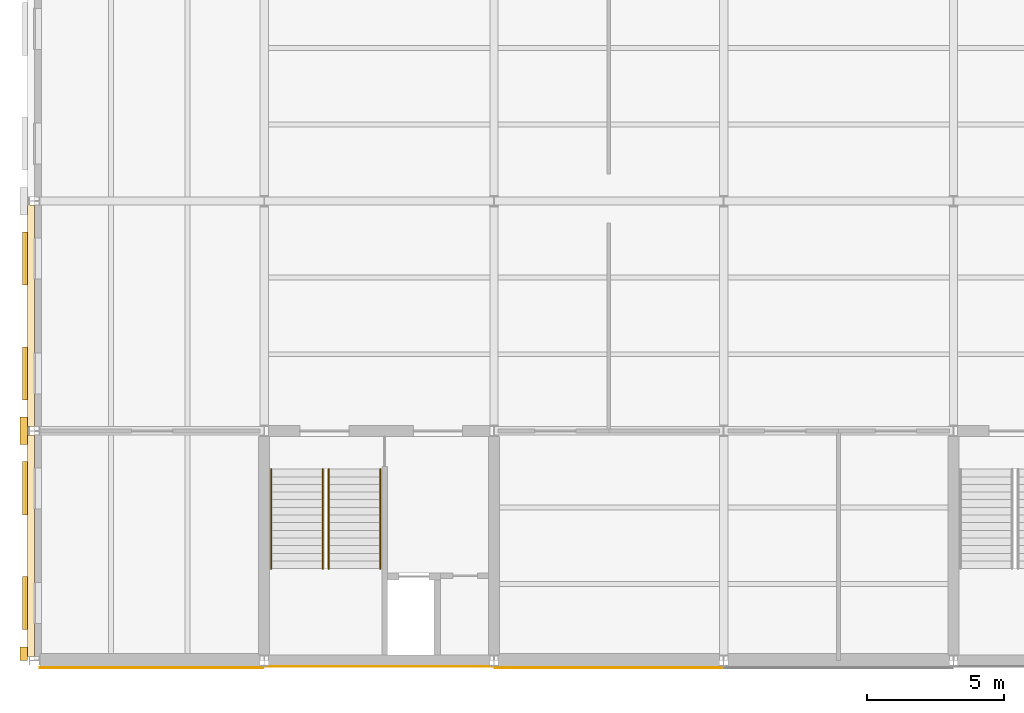
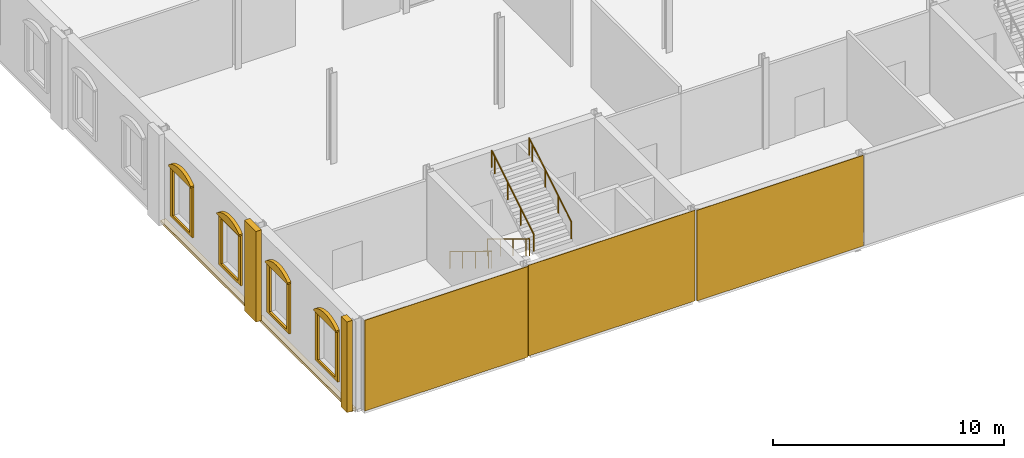
# One storey, part 37 of 57: 15 coverings, 4 railings.
"""IFC4 building model written with IfcOpenShell, lengths in metres."""

from ifc_helpers import new_model, si_unit, direction, frame, origin, origin_2d, place, context, subcontext, project, spatial, polyline, rectangle, circle, outline, extrude, material, layer, layer_set, type_object, element, save


model = new_model("IFC4")

# Units and contexts
model_context = context("Model", 3, precision=1e-05, world=origin(), true_north=direction((0.0, 1.0)))
body_context = subcontext(model_context, "Body", "Model", "MODEL_VIEW")
ifc_project = project(units=[si_unit("LENGTHUNIT", "METRE"), si_unit("AREAUNIT", "SQUARE_METRE"), si_unit("VOLUMEUNIT", "CUBIC_METRE"), si_unit("PLANEANGLEUNIT", "RADIAN"), si_unit("MASSUNIT", "GRAM", prefix="KILO")], contexts=[model_context])

# Site, building, storey
site_placement = place(None, origin())
site = spatial("IfcSite", under=ifc_project, at=site_placement, CompositionType="ELEMENT")
building_placement = place(site_placement, origin())
building = spatial("IfcBuilding", under=site, at=building_placement, Name="Galleria Vessillo Department Store", CompositionType="ELEMENT")
storey_placement = place(building_placement, frame((0.0, 0.0, 21.0)))
storey = spatial("IfcBuildingStorey", under=building, at=storey_placement, Name="L04", CompositionType="ELEMENT", Elevation=21.0)

# Coverings
ifc_material_1 = material(Name="Lime plaster (intonaco) ochre")
ifc_layer_1 = layer(ifc_material_1, 0.030029296875)
ifc_layer_set_1 = layer_set([ifc_layer_1], Name="Lime plaster (intonaco) ochre")
covering_type_1 = type_object("IfcCoveringType", Name="Lime plaster render 30 mm", PredefinedType="CLADDING", material=ifc_layer_set_1)
covering_1_placement = place(storey_placement, frame((4.284912109375, -0.264892578125, 0.0), z_axis=(0.0, 0.0, 1.0), x_axis=(1.0, 0.0, 0.0)))
element("IfcCovering", 1, at=covering_1_placement, inside=storey, type_object=covering_type_1, Name="Wall cladding S-PS-L04-01", PredefinedType="CLADDING", context=body_context, shape_type="SweptSolid", body=[
    extrude(rectangle(XDim=8.170166015625, YDim=0.030029296875, at=origin_2d()), origin(), (0.0, 0.0, 1.0), 4.800048828125),
])
for number, where, z_axis, x_axis, name in (
    (2, (12.599853515625, -0.215087890625, 0.0), (0.0, 0.0, 1.0), (1.0, 0.0, 0.0), "Wall cladding S-CW-PC-SW-PARTY-L04"),
    (3, (21.0, -0.264892578125, 0.0), (0.0, 0.0, 1.0), (1.0, 0.0, 0.0), "Wall cladding S-PS-L04-02"),
):
    element("IfcCovering", number, at=place(storey_placement, frame(where, z_axis=z_axis, x_axis=x_axis)), inside=storey, type_object=covering_type_1, Name=name, PredefinedType="CLADDING", context=body_context, shape_type="SweptSolid", body=[
        extrude(rectangle(XDim=8.340087890625, YDim=0.030029296875, at=origin_2d()), origin(), (0.0, 0.0, 1.0), 4.800048828125),
    ])
ifc_material_2 = material(Name="Botticino limestone ashlar", Category="masonry")
ifc_layer_2 = layer(ifc_material_2, 0.280029296875)
ifc_layer_set_2 = layer_set([ifc_layer_2], Name="Botticino limestone ashlar")
covering_type_2 = type_object("IfcCoveringType", Name="Limestone giant pilaster 1000 x 280", PredefinedType="CLADDING", material=ifc_layer_set_2)
covering_2_placement = place(storey_placement, frame((-0.389892578125, 0.25, 0.0), z_axis=(0.0, 0.0, 1.0), x_axis=(1.0, 0.0, 0.0)))
element("IfcCovering", 4, at=covering_2_placement, inside=storey, type_object=covering_type_2, Name="Giant pilaster W L04 y=0.0", PredefinedType="CLADDING", context=body_context, shape_type="SweptSolid", body=[
    extrude(rectangle(XDim=0.280029296875, YDim=0.5, at=origin_2d()), origin(), (0.0, 0.0, 1.0), 4.800048828125),
])
covering_3_placement = place(storey_placement, frame((-0.389892578125, 8.39990234375, 0.0), z_axis=(0.0, 0.0, 1.0), x_axis=(1.0, 0.0, 0.0)))
element("IfcCovering", 5, at=covering_3_placement, inside=storey, type_object=covering_type_2, Name="Giant pilaster W L04 y=8.4", PredefinedType="CLADDING", context=body_context, shape_type="SweptSolid", body=[
    extrude(rectangle(XDim=0.280029296875, YDim=1.0, at=origin_2d()), origin(), (0.0, 0.0, 1.0), 4.800048828125),
])
ifc_material_3 = material(Name="Botticino limestone ashlar", Category="masonry")
ifc_layer_3 = layer(ifc_material_3, 0.179931640625)
ifc_layer_set_3 = layer_set([ifc_layer_3], Name="Botticino limestone ashlar")
covering_type_3 = type_object("IfcCoveringType", Name="Limestone segmental window pediment 180 mm", PredefinedType="USERDEFINED", material=ifc_layer_set_3)
covering_4_placement = place(storey_placement, frame((-0.25, 0.0, 1.0), z_axis=(-1.0, 0.0, 0.0), x_axis=(0.0, -1.0, 0.0)))
element("IfcCovering", 6, at=covering_4_placement, inside=storey, type_object=covering_type_3, Name="Segmental pediment W039", ObjectType="SEGMENTAL WINDOW PEDIMENT", PredefinedType="USERDEFINED", context=body_context, shape_type="SweptSolid", body=[
    extrude(outline(polyline([(-1.130126953125, 2.60009765625), (-1.291748046875, 2.717041015625), (-1.453369140625, 2.805419921875), (-1.614990234375, 2.87060546875), (-1.77685546875, 2.915283203125), (-1.9384765625, 2.94140625), (-2.10009765625, 2.949951171875), (-2.26171875, 2.94140625), (-2.42333984375, 2.915283203125), (-2.585205078125, 2.87060546875), (-2.746826171875, 2.805419921875), (-2.908447265625, 2.717041015625), (-3.070068359375, 2.60009765625), (-3.070068359375, 2.52001953125), (-1.130126953125, 2.52001953125), (-1.130126953125, 2.60009765625)])), origin(), (0.0, 0.0, 1.0), 0.179931640625),
])
covering_5_placement = place(storey_placement, frame((-0.25, 0.0, 1.0), z_axis=(-1.0, 0.0, 0.0), x_axis=(0.0, -1.0, 0.0)))
element("IfcCovering", 7, at=covering_5_placement, inside=storey, type_object=covering_type_3, Name="Segmental pediment W040", ObjectType="SEGMENTAL WINDOW PEDIMENT", PredefinedType="USERDEFINED", context=body_context, shape_type="SweptSolid", body=[
    extrude(outline(polyline([(-5.330078125, 2.60009765625), (-5.49169921875, 2.717041015625), (-5.6533203125, 2.805419921875), (-5.81494140625, 2.87060546875), (-5.976806640625, 2.915283203125), (-6.138427734375, 2.94140625), (-6.300048828125, 2.949951171875), (-6.461669921875, 2.94140625), (-6.623291015625, 2.915283203125), (-6.784912109375, 2.87060546875), (-6.94677734375, 2.805419921875), (-7.1083984375, 2.717041015625), (-7.27001953125, 2.60009765625), (-7.27001953125, 2.52001953125), (-5.330078125, 2.52001953125), (-5.330078125, 2.60009765625)])), origin(), (0.0, 0.0, 1.0), 0.179931640625),
])
covering_6_placement = place(storey_placement, frame((-0.25, 0.0, 1.0), z_axis=(-1.0, 0.0, 0.0), x_axis=(0.0, -1.0, 0.0)))
element("IfcCovering", 8, at=covering_6_placement, inside=storey, type_object=covering_type_3, Name="Segmental pediment W041", ObjectType="SEGMENTAL WINDOW PEDIMENT", PredefinedType="USERDEFINED", context=body_context, shape_type="SweptSolid", body=[
    extrude(outline(polyline([(-9.530029296875, 2.60009765625), (-9.691650390625, 2.717041015625), (-9.853271484375, 2.805419921875), (-10.014892578125, 2.87060546875), (-10.1767578125, 2.915283203125), (-10.33837890625, 2.94140625), (-10.5, 2.949951171875), (-10.66162109375, 2.94140625), (-10.8232421875, 2.915283203125), (-10.985107421875, 2.87060546875), (-11.146728515625, 2.805419921875), (-11.308349609375, 2.717041015625), (-11.469970703125, 2.60009765625), (-11.469970703125, 2.52001953125), (-9.530029296875, 2.52001953125), (-9.530029296875, 2.60009765625)])), origin(), (0.0, 0.0, 1.0), 0.179931640625),
])
covering_7_placement = place(storey_placement, frame((-0.25, 0.0, 1.0), z_axis=(-1.0, 0.0, 0.0), x_axis=(0.0, -1.0, 0.0)))
element("IfcCovering", 9, at=covering_7_placement, inside=storey, type_object=covering_type_3, Name="Segmental pediment W042", ObjectType="SEGMENTAL WINDOW PEDIMENT", PredefinedType="USERDEFINED", context=body_context, shape_type="SweptSolid", body=[
    extrude(outline(polyline([(-13.72998046875, 2.60009765625), (-13.8916015625, 2.717041015625), (-14.05322265625, 2.805419921875), (-14.215087890625, 2.87060546875), (-14.376708984375, 2.915283203125), (-14.538330078125, 2.94140625), (-14.699951171875, 2.949951171875), (-14.861572265625, 2.94140625), (-15.023193359375, 2.915283203125), (-15.18505859375, 2.87060546875), (-15.3466796875, 2.805419921875), (-15.50830078125, 2.717041015625), (-15.669921875, 2.60009765625), (-15.669921875, 2.52001953125), (-13.72998046875, 2.52001953125), (-13.72998046875, 2.60009765625)])), origin(), (0.0, 0.0, 1.0), 0.179931640625),
])
ifc_material_4 = material(Name="Botticino limestone ashlar", Category="masonry")
ifc_layer_4 = layer(ifc_material_4, 0.14990234375)
ifc_layer_set_4 = layer_set([ifc_layer_4], Name="Botticino limestone ashlar")
covering_type_4 = type_object("IfcCoveringType", Name="Limestone slab-edge fascia 150 mm", PredefinedType="CLADDING", material=ifc_layer_set_4)
covering_8_placement = place(storey_placement, frame((-0.125, 4.199951171875, -0.14990234375), z_axis=(0.0, 0.0, 1.0), x_axis=(1.0, 0.0, 0.0)))
element("IfcCovering", 10, at=covering_8_placement, inside=storey, type_object=covering_type_4, Name="Slab-edge fascia SW-L03-01", PredefinedType="CLADDING", context=body_context, shape_type="SweptSolid", body=[
    extrude(rectangle(XDim=0.25, YDim=8.099853515625, at=origin_2d()), origin(), (0.0, 0.0, 1.0), 0.14990234375),
])
covering_9_placement = place(storey_placement, frame((-0.125, 12.60009765625, -0.14990234375), z_axis=(0.0, 0.0, 1.0), x_axis=(1.0, 0.0, 0.0)))
element("IfcCovering", 11, at=covering_9_placement, inside=storey, type_object=covering_type_4, Name="Slab-edge fascia SW-L03-02", PredefinedType="CLADDING", context=body_context, shape_type="SweptSolid", body=[
    extrude(rectangle(XDim=0.25, YDim=8.10009765625, at=origin_2d()), origin(), (0.0, 0.0, 1.0), 0.14990234375),
])
ifc_material_5 = material(Name="Botticino limestone ashlar", Category="masonry")
ifc_layer_5 = layer(ifc_material_5, 0.10009765625)
ifc_layer_set_5 = layer_set([ifc_layer_5], Name="Botticino limestone ashlar")
covering_type_5 = type_object("IfcCoveringType", Name="Limestone window surround 100 mm", PredefinedType="CLADDING", material=ifc_layer_set_5)
covering_10_placement = place(storey_placement, frame((-0.25, 0.0, 1.0), z_axis=(-1.0, 0.0, 0.0), x_axis=(0.0, -1.0, 0.0)))
element("IfcCovering", 12, at=covering_10_placement, inside=storey, type_object=covering_type_5, Name="Window surround W039", PredefinedType="CLADDING", context=body_context, shape_type="SweptSolid", body=[
    extrude(outline(polyline([(-1.130126953125, 2.52001953125), (-3.070068359375, 2.52001953125), (-3.070068359375, -0.139892578125), (-1.130126953125, -0.139892578125), (-1.130126953125, 2.52001953125)]), holes=[polyline([(-1.35009765625, 2.39990234375), (-2.85009765625, 2.39990234375), (-2.85009765625, 0.0), (-1.35009765625, 0.0), (-1.35009765625, 2.39990234375)])]), origin(), (0.0, 0.0, 1.0), 0.10009765625),
])
covering_11_placement = place(storey_placement, frame((-0.25, 0.0, 1.0), z_axis=(-1.0, 0.0, 0.0), x_axis=(0.0, -1.0, 0.0)))
element("IfcCovering", 13, at=covering_11_placement, inside=storey, type_object=covering_type_5, Name="Window surround W040", PredefinedType="CLADDING", context=body_context, shape_type="SweptSolid", body=[
    extrude(outline(polyline([(-5.330078125, 2.52001953125), (-7.27001953125, 2.52001953125), (-7.27001953125, -0.139892578125), (-5.330078125, -0.139892578125), (-5.330078125, 2.52001953125)]), holes=[polyline([(-5.550048828125, 2.39990234375), (-7.050048828125, 2.39990234375), (-7.050048828125, 0.0), (-5.550048828125, 0.0), (-5.550048828125, 2.39990234375)])]), origin(), (0.0, 0.0, 1.0), 0.10009765625),
])
covering_12_placement = place(storey_placement, frame((-0.25, 0.0, 1.0), z_axis=(-1.0, 0.0, 0.0), x_axis=(0.0, -1.0, 0.0)))
element("IfcCovering", 14, at=covering_12_placement, inside=storey, type_object=covering_type_5, Name="Window surround W041", PredefinedType="CLADDING", context=body_context, shape_type="SweptSolid", body=[
    extrude(outline(polyline([(-9.530029296875, 2.52001953125), (-11.469970703125, 2.52001953125), (-11.469970703125, -0.139892578125), (-9.530029296875, -0.139892578125), (-9.530029296875, 2.52001953125)]), holes=[polyline([(-9.75, 2.39990234375), (-11.25, 2.39990234375), (-11.25, 0.0), (-9.75, 0.0), (-9.75, 2.39990234375)])]), origin(), (0.0, 0.0, 1.0), 0.10009765625),
])
covering_13_placement = place(storey_placement, frame((-0.25, 0.0, 1.0), z_axis=(-1.0, 0.0, 0.0), x_axis=(0.0, -1.0, 0.0)))
element("IfcCovering", 15, at=covering_13_placement, inside=storey, type_object=covering_type_5, Name="Window surround W042", PredefinedType="CLADDING", context=body_context, shape_type="SweptSolid", body=[
    extrude(outline(polyline([(-13.72998046875, 2.52001953125), (-15.669921875, 2.52001953125), (-15.669921875, -0.139892578125), (-13.72998046875, -0.139892578125), (-13.72998046875, 2.52001953125)]), holes=[polyline([(-13.949951171875, 2.39990234375), (-15.449951171875, 2.39990234375), (-15.449951171875, 0.0), (-13.949951171875, 0.0), (-13.949951171875, 2.39990234375)])]), origin(), (0.0, 0.0, 1.0), 0.10009765625),
])

# Railings
ifc_material_6 = material(Name="Stainless steel tube", Category="steel")
railing_type = type_object("IfcRailingType", Name="Stair handrail steel tube 48 mm", PredefinedType="HANDRAIL", material=ifc_material_6)
for number, where, name in (
    (16, (10.5400390625, 7.0, 0.17138671875), "Handrail ST1 L04 flight 1A"),
    (17, (8.66015625, 7.0, 0.17138671875), "Handrail ST1 L04 flight 1B"),
):
    element("IfcRailing", number, at=place(storey_placement, frame(where)), inside=storey, type_object=railing_type, Name=name, PredefinedType="HANDRAIL", context=body_context, shape_type="SweptSolid", body=[
        extrude(circle(Radius=0.02392578125, at=origin_2d()), frame((0.0, 0.0, 0.89599609375), z_axis=(0.0, -0.852849614702, 0.52215661894), x_axis=(1.0, 0.0, 0.0)), (0.0, 0.0, 1.0), 1.3134765625),
        extrude(circle(Radius=0.02392578125, at=origin_2d()), frame((0.0, -1.1201171875, 1.58154296875), z_axis=(0.0, -0.852798921012, 0.522239409008), x_axis=(1.0, 0.0, 0.0)), (0.0, 0.0, 1.0), 1.313232421875),
        extrude(circle(Radius=0.02392578125, at=origin_2d()), frame((0.0, -2.239990234375, 2.267578125), z_axis=(0.0, -0.852932391421, 0.522021393877), x_axis=(1.0, 0.0, 0.0)), (0.0, 0.0, 1.0), 1.313232421875),
        extrude(circle(Radius=0.02392578125, at=origin_2d()), frame((0.0, -3.360107421875, 2.953125), z_axis=(0.0, -0.852729557261, 0.522352660731), x_axis=(1.0, 0.0, 0.0)), (0.0, 0.0, 1.0), 0.328125),
        extrude(circle(Radius=0.02099609375, at=origin_2d()), origin(), (0.0, 0.0, 1.0), 0.871826171875),
        extrude(circle(Radius=0.02099609375, at=origin_2d()), frame((0.0, -1.1201171875, 0.685791015625)), (0.0, 0.0, 1.0), 0.871826171875),
        extrude(circle(Radius=0.02099609375, at=origin_2d()), frame((0.0, -2.239990234375, 1.37158203125)), (0.0, 0.0, 1.0), 0.871826171875),
        extrude(circle(Radius=0.02099609375, at=origin_2d()), frame((0.0, -3.360107421875, 2.05712890625)), (0.0, 0.0, 1.0), 0.871826171875),
        extrude(circle(Radius=0.02099609375, at=origin_2d()), frame((0.0, -3.639892578125, 2.228515625)), (0.0, 0.0, 1.0), 0.871826171875),
    ])
for number, where, name in (
    (18, (10.760009765625, 3.360107421875, 2.5712890625), "Handrail ST1 L04 flight 2A"),
    (19, (12.639892578125, 3.360107421875, 2.5712890625), "Handrail ST1 L04 flight 2B"),
):
    element("IfcRailing", number, at=place(storey_placement, frame(where)), inside=storey, type_object=railing_type, Name=name, PredefinedType="HANDRAIL", context=body_context, shape_type="SweptSolid", body=[
        extrude(circle(Radius=0.02392578125, at=origin_2d()), frame((0.0, 0.0, 0.89599609375), z_axis=(0.0, 0.852849614702, 0.52215661894), x_axis=(-1.0, 0.0, 0.0)), (0.0, 0.0, 1.0), 1.3134765625),
        extrude(circle(Radius=0.02392578125, at=origin_2d()), frame((0.0, 1.1201171875, 1.58154296875), z_axis=(0.0, 0.852798921012, 0.522239409008), x_axis=(-1.0, 0.0, 0.0)), (0.0, 0.0, 1.0), 1.313232421875),
        extrude(circle(Radius=0.02392578125, at=origin_2d()), frame((0.0, 2.239990234375, 2.267578125), z_axis=(0.0, 0.852932391421, 0.522021393877), x_axis=(-1.0, 0.0, 0.0)), (0.0, 0.0, 1.0), 1.313232421875),
        extrude(circle(Radius=0.02392578125, at=origin_2d()), frame((0.0, 3.360107421875, 2.953125), z_axis=(0.0, 0.852729557261, 0.522352660731), x_axis=(-1.0, 0.0, 0.0)), (0.0, 0.0, 1.0), 0.328125),
        extrude(circle(Radius=0.02099609375, at=origin_2d()), origin(), (0.0, 0.0, 1.0), 0.871826171875),
        extrude(circle(Radius=0.02099609375, at=origin_2d()), frame((0.0, 1.1201171875, 0.685791015625)), (0.0, 0.0, 1.0), 0.871826171875),
        extrude(circle(Radius=0.02099609375, at=origin_2d()), frame((0.0, 2.239990234375, 1.37158203125)), (0.0, 0.0, 1.0), 0.871826171875),
        extrude(circle(Radius=0.02099609375, at=origin_2d()), frame((0.0, 3.360107421875, 2.05712890625)), (0.0, 0.0, 1.0), 0.871826171875),
        extrude(circle(Radius=0.02099609375, at=origin_2d()), frame((0.0, 3.639892578125, 2.228515625)), (0.0, 0.0, 1.0), 0.871826171875),
    ])

save(model, "model.ifc")
